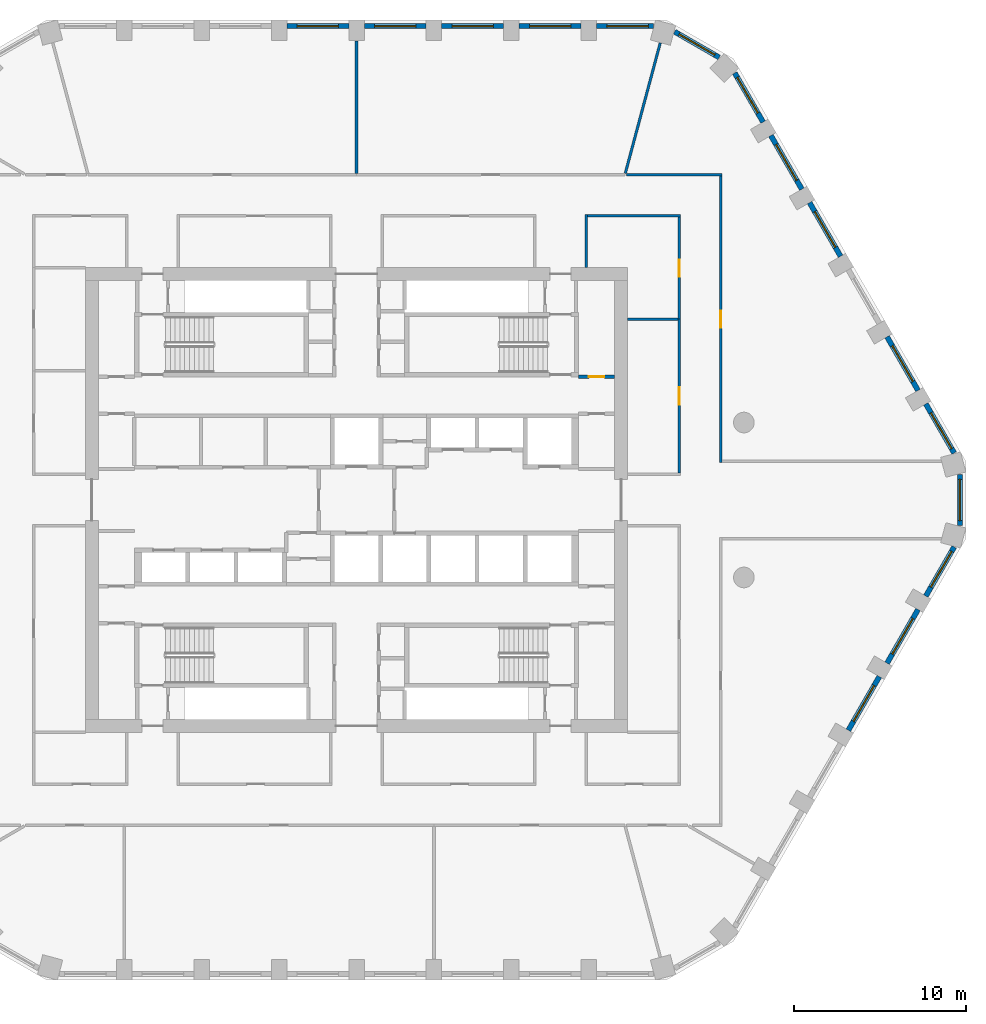
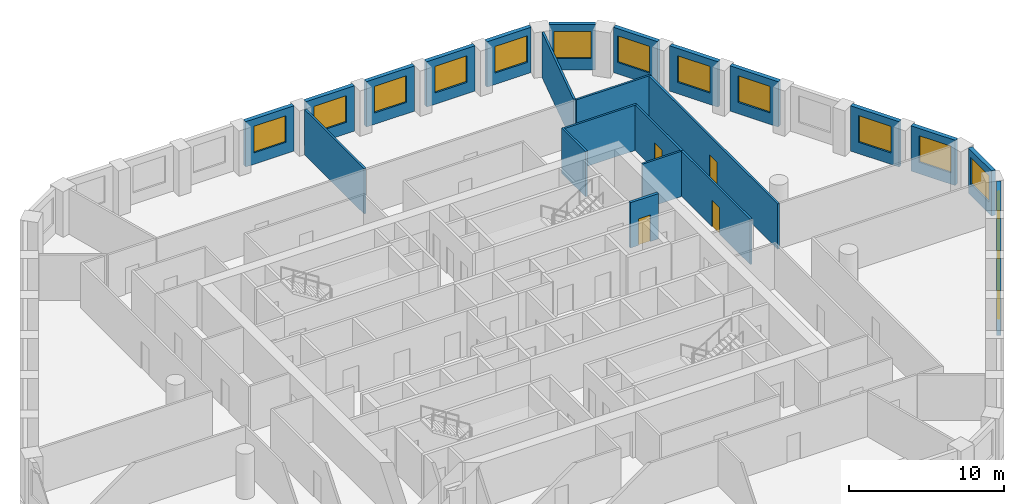
# One storey, part 8 of 10: 25 walls, 15 windows, 4 doors, 19 openings.
"""IFC4 building model written with IfcOpenShell, lengths in metres."""

import ifcopenshell
import ifcopenshell.guid

model = None  # the IFC model being written
_history = None  # IfcOwnerHistory: only IFC2X3 demands one
_inside = {}  # id of a spatial element -> (the spatial element, [elements in it])
_under = {}  # id of a project, library or spatial element -> (it, [spatial elements below it])
_declared = {}  # id of a project -> (the project, [libraries it declares])
_typed = {}  # id of a type object -> (the type object, [elements of that type])
_made_of = {}  # id of a material, layer set ... -> (it, [elements and type objects made of it])


def new_model(schema):
    """Start an empty IFC model of exactly this schema.

    Asked for "IFC4X3", IfcOpenShell would pick the latest addendum, in which some entities
    have other attributes; the version numbers below select the first issue.
    IFC2X3 requires an IfcOwnerHistory on every rooted entity: one is made here for all.
    """
    global model, _history
    if schema == "IFC4X3":
        model = ifcopenshell.file(schema_version=(4, 3, 0, 0))
    else:
        model = ifcopenshell.file(schema=schema)
    _inside.clear()
    _under.clear()
    _declared.clear()
    _typed.clear()
    _made_of.clear()
    _history = None
    if model.schema == "IFC2X3":
        org = make("IfcOrganization", Name="unknown")
        user = make(
            "IfcPersonAndOrganization",
            ThePerson=make("IfcPerson", FamilyName="unknown"),
            TheOrganization=org,
        )
        app = make(
            "IfcApplication",
            ApplicationDeveloper=org,
            Version="unknown",
            ApplicationFullName="unknown",
            ApplicationIdentifier="unknown",
        )
        _history = make(
            "IfcOwnerHistory",
            OwningUser=user,
            OwningApplication=app,
            ChangeAction="ADDED",
            CreationDate=0,
        )
    return model


def make(cls, **values):
    """One entity of the class cls with the attributes given. An attribute that is None is left unset."""
    return model.create_entity(
        cls, **{name: value for name, value in values.items() if value is not None}
    )


def rooted(cls, **values):
    """An entity with a GlobalId (a new one), such as an element, a storey or a relation."""
    return make(cls, GlobalId=ifcopenshell.guid.new(), OwnerHistory=_history, **values)


def si_unit(unit_type, name, prefix=None):
    """IfcSIUnit, for example si_unit("LENGTHUNIT", "METRE", prefix="MILLI")."""
    return make("IfcSIUnit", UnitType=unit_type, Prefix=prefix, Name=name)


def assignment(units):
    """IfcUnitAssignment: the units of a project."""
    return None if units is None else make("IfcUnitAssignment", Units=units)


def point(xyz):
    """IfcCartesianPoint."""
    return None if xyz is None else make("IfcCartesianPoint", Coordinates=xyz)


def direction(xyz):
    """IfcDirection."""
    return None if xyz is None else make("IfcDirection", DirectionRatios=xyz)


def frame(location, z_axis=None, x_axis=None):
    """IfcAxis2Placement3D, a coordinate frame: its origin and axes. An axis left out is left unset."""
    return make(
        "IfcAxis2Placement3D",
        Location=point(location),
        Axis=direction(z_axis),
        RefDirection=direction(x_axis),
    )


def frame_2d(location, x_axis=None):
    """IfcAxis2Placement2D, a coordinate frame in the plane: its origin and x axis."""
    return make(
        "IfcAxis2Placement2D", Location=point(location), RefDirection=direction(x_axis)
    )


def origin():
    """The frame at (0, 0, 0) with its axes left unset."""
    return frame((0.0, 0.0, 0.0))


def place(relative_to, where):
    """IfcLocalPlacement: puts the frame where relative to a parent placement (None: the world)."""
    return make(
        "IfcLocalPlacement", PlacementRelTo=relative_to, RelativePlacement=where
    )


def context(
    kind, dimensions, precision=None, world=None, true_north=None, identifier=None
):
    """IfcGeometricRepresentationContext, for example the 3D "Model" context."""
    return make(
        "IfcGeometricRepresentationContext",
        ContextIdentifier=identifier,
        ContextType=kind,
        CoordinateSpaceDimension=dimensions,
        Precision=precision,
        WorldCoordinateSystem=world,
        TrueNorth=true_north,
    )


def subcontext(parent, identifier, kind, view, scale=None):
    """IfcGeometricRepresentationSubContext, for example "Body" below "Model"."""
    return make(
        "IfcGeometricRepresentationSubContext",
        ContextIdentifier=identifier,
        ContextType=kind,
        ParentContext=parent,
        TargetScale=scale,
        TargetView=view,
    )


def project(units=None, contexts=None):
    """IfcProject with its units and contexts."""
    return rooted(
        "IfcProject",
        Name="project",
        RepresentationContexts=contexts,
        UnitsInContext=assignment(units),
    )


def spatial(cls, under=None, at=None, **own):
    """A site, building, storey or space (cls), placed at a placement, below another one or the project."""
    s = rooted(cls, ObjectPlacement=at, **own)
    if under is not None:
        _under.setdefault(under.id(), (under, []))[1].append(s)
    return s


def profile(cls, at=None, kind="AREA", **sizes):
    """A parametric profile (cls). Its sizes go by their IFC names, for example OverallWidth=200.0."""
    return make(cls, ProfileType=kind, Position=at, **sizes)


def rectangle(**sizes):
    """IfcRectangleProfileDef."""
    return profile("IfcRectangleProfileDef", **sizes)


def extrude(swept, where, along, depth):
    """IfcExtrudedAreaSolid: the profile swept, set in the frame where, extruded along a direction by depth."""
    return make(
        "IfcExtrudedAreaSolid",
        SweptArea=swept,
        Position=where,
        ExtrudedDirection=direction(along),
        Depth=depth,
    )


def shape(context_of_items, identifier, shape_type, items):
    """IfcShapeRepresentation: the items that make up one representation, for example the "Body"."""
    return make(
        "IfcShapeRepresentation",
        ContextOfItems=context_of_items,
        RepresentationIdentifier=identifier,
        RepresentationType=shape_type,
        Items=items,
    )


def material(Name=None, Category=None):
    """IfcMaterial."""
    return make("IfcMaterial", Name=Name, Category=Category)


def layer(
    of_material, thickness, ventilated=None, Name=None, Category=None, Priority=None
):
    """IfcMaterialLayer: one layer of a wall or slab, of a material (None: an air gap)."""
    return make(
        "IfcMaterialLayer",
        Material=of_material,
        LayerThickness=thickness,
        IsVentilated=ventilated,
        Name=Name,
        Category=Category,
        Priority=Priority,
    )


def layer_set(layers, Name=None):
    """IfcMaterialLayerSet."""
    return make("IfcMaterialLayerSet", MaterialLayers=layers, LayerSetName=Name)


def made_of(thing, what):
    """Note that an element or type object is made of a material, layer set ...; save() writes the relation."""
    if what is not None:
        _made_of.setdefault(what.id(), (what, []))[1].append(thing)
    return thing


def type_object(cls, material=None, **own):
    """A type object (cls), such as IfcWallType, which elements share."""
    return made_of(rooted(cls, **own), material)


def element(
    cls,
    number,
    at=None,
    inside=None,
    cuts=None,
    type_object=None,
    material=None,
    context=None,
    identifier="Body",
    shape_type=None,
    held_by="IfcProductDefinitionShape",
    body=None,
    shapes=None,
    **own,
):
    """One element of the class cls, such as IfcWall. Its Tag is "e" and its number.

    at: its placement. inside: the storey or other place that contains it. cuts: it is an
    opening in that element (IfcRelVoidsElement). A single representation is given by context,
    identifier, shape_type and body (its items); several are given by shapes. held_by: the class
    of the entity that holds the representations. save() writes the other relations.
    """
    e = rooted(cls, Tag="e%d" % number, ObjectPlacement=at, **own)
    if body is not None:
        shapes = [shape(context, identifier, shape_type, body)]
    if shapes is not None:
        e.Representation = make(held_by, Representations=shapes)
    if inside is not None:
        _inside.setdefault(inside.id(), (inside, []))[1].append(e)
    if cuts is not None:
        rooted(
            "IfcRelVoidsElement", RelatingBuildingElement=cuts, RelatedOpeningElement=e
        )
    if type_object is not None:
        _typed.setdefault(type_object.id(), (type_object, []))[1].append(e)
    return made_of(e, material)


def fill(opening, filler):
    """IfcRelFillsElement: the door or window that sits in an opening."""
    return rooted(
        "IfcRelFillsElement",
        RelatingOpeningElement=opening,
        RelatedBuildingElement=filler,
    )


def aggregate(whole, parts):
    """IfcRelAggregates: a whole, such as a stair, and the parts it consists of."""
    return rooted("IfcRelAggregates", RelatingObject=whole, RelatedObjects=parts)


def save(model, path):
    """Write the relations noted so far, then the file.

    IfcRelAggregates (storeys below a building ...), IfcRelContainedInSpatialStructure (elements
    in a storey), IfcRelDefinesByType, IfcRelAssociatesMaterial and IfcRelDeclares: one each for
    every whole, place, type object, material and project.
    """
    for whole, parts in _under.values():
        aggregate(whole, parts)
    for where, things in _inside.values():
        rooted(
            "IfcRelContainedInSpatialStructure",
            RelatedElements=things,
            RelatingStructure=where,
        )
    for kind, things in _typed.values():
        rooted("IfcRelDefinesByType", RelatedObjects=things, RelatingType=kind)
    for what, things in _made_of.values():
        rooted("IfcRelAssociatesMaterial", RelatedObjects=things, RelatingMaterial=what)
    for by, libraries in _declared.values():
        rooted("IfcRelDeclares", RelatingContext=by, RelatedDefinitions=libraries)
    model.write(path)


model = new_model("IFC4")

# Units and contexts
model_context = context("Model", 3, precision=1e-05, world=origin(), true_north=direction((0.0, 1.0)))
body_context = subcontext(model_context, "Body", "Model", "MODEL_VIEW")
ifc_project = project(units=[si_unit("LENGTHUNIT", "METRE"), si_unit("AREAUNIT", "SQUARE_METRE"), si_unit("VOLUMEUNIT", "CUBIC_METRE"), si_unit("PLANEANGLEUNIT", "RADIAN"), si_unit("MASSUNIT", "GRAM", prefix="KILO")], contexts=[model_context])

# Site, building, storey
site_placement = place(None, origin())
site = spatial("IfcSite", under=ifc_project, at=site_placement, CompositionType="ELEMENT")
building_placement = place(site_placement, origin())
building = spatial("IfcBuilding", under=site, at=building_placement, Name="Dhurran Vertical Campus", CompositionType="ELEMENT")
storey_placement = place(building_placement, frame((0.0, 0.0, 144.300048828125)))
storey = spatial("IfcBuildingStorey", under=building, at=storey_placement, Name="L35", CompositionType="ELEMENT", Elevation=144.300048828125)

# Wall, opening, window
ifc_material_1 = material(Name="Precast concrete C50/60", Category="concrete")
ifc_layer_1 = layer(ifc_material_1, 0.300048828125)
ifc_layer_set_1 = layer_set([ifc_layer_1], Name="Precast concrete C50/60")
wall_type_1 = type_object("IfcWallType", Name="Precast spandrel wall 300", PredefinedType="SOLIDWALL", material=ifc_layer_set_1)
wall_1_placement = place(storey_placement, frame((28.5693359375, -13.376220703125, 0.0), z_axis=(0.0, 0.0, 1.0), x_axis=(0.500027802648, 0.866009351323, 0.0)))
wall_1 = element("IfcWall", 1, at=wall_1_placement, inside=storey, type_object=wall_type_1, Name="EW1 L35.12", PredefinedType="SOLIDWALL", context=body_context, shape_type="SweptSolid", body=[
    extrude(rectangle(XDim=3.598876953125, YDim=0.300048828125, at=frame_2d((1.79931640625, 0.0))), origin(), (0.0, 0.0, 1.0), 3.574951171875),
])
opening_1_placement = place(wall_1_placement, frame((0.599609375, 0.0, 0.89990234375)))
opening_1 = element("IfcOpeningElement", 2, at=opening_1_placement, cuts=wall_1, Name="Opening WT1", PredefinedType="OPENING", context=body_context, shape_type="SweptSolid", body=[
    extrude(rectangle(XDim=2.39990234375, YDim=2.10009765625, at=frame_2d((1.199951171875, 1.050048828125))), frame((0.0, 0.159912109375, 0.0), z_axis=(0.0, -1.0, 0.0), x_axis=(1.0, 0.0, 0.0)), (0.0, 0.0, 1.0), 0.320068359375),
])
ifc_material_2 = material(Name="Aluminium frame with solar-control glass", Category="aluminium")
window_type = type_object("IfcWindowType", Name="Punched window 2400 x 2100", PartitioningType="SINGLE_PANEL", PredefinedType="WINDOW", material=ifc_material_2)
window_1_placement = place(opening_1_placement, origin())
window_1 = element("IfcWindow", 3, at=window_1_placement, inside=storey, type_object=window_type, Name="WT1 L35.12", OverallHeight=2.10009765625, OverallWidth=2.39990234375, PartitioningType="SINGLE_PANEL", PredefinedType="WINDOW", context=body_context, shape_type="SweptSolid", body=[
    extrude(rectangle(XDim=2.39990234375, YDim=2.10009765625, at=frame_2d((1.199951171875, 1.050048828125))), frame((0.0, 0.030029296875, 0.0), z_axis=(0.0, -1.0, 0.0), x_axis=(1.0, 0.0, 0.0)), (0.0, 0.0, 1.0), 0.06005859375),
])
fill(opening_1, window_1)

wall_2_placement = place(storey_placement, frame((30.8193359375, -9.47900390625, 0.0), z_axis=(0.0, 0.0, 1.0), x_axis=(0.500027802648, 0.866009351323, 0.0)))
wall_2 = element("IfcWall", 4, at=wall_2_placement, inside=storey, type_object=wall_type_1, Name="EW1 L35.13", PredefinedType="SOLIDWALL", context=body_context, shape_type="SweptSolid", body=[
    extrude(rectangle(XDim=3.598876953125, YDim=0.300048828125, at=frame_2d((1.79931640625, 0.0))), origin(), (0.0, 0.0, 1.0), 3.574951171875),
])
opening_2_placement = place(wall_2_placement, frame((0.599609375, 0.0, 0.89990234375)))
opening_2 = element("IfcOpeningElement", 5, at=opening_2_placement, cuts=wall_2, Name="Opening WT1", PredefinedType="OPENING", context=body_context, shape_type="SweptSolid", body=[
    extrude(rectangle(XDim=2.39990234375, YDim=2.10009765625, at=frame_2d((1.199951171875, 1.050048828125))), frame((0.0, 0.159912109375, 0.0), z_axis=(0.0, -1.0, 0.0), x_axis=(1.0, 0.0, 0.0)), (0.0, 0.0, 1.0), 0.320068359375),
])
window_2_placement = place(opening_2_placement, origin())
window_2 = element("IfcWindow", 6, at=window_2_placement, inside=storey, type_object=window_type, Name="WT1 L35.13", OverallHeight=2.10009765625, OverallWidth=2.39990234375, PartitioningType="SINGLE_PANEL", PredefinedType="WINDOW", context=body_context, shape_type="SweptSolid", body=[
    extrude(rectangle(XDim=2.39990234375, YDim=2.10009765625, at=frame_2d((1.199951171875, 1.050048828125))), frame((0.0, 0.030029296875, 0.0), z_axis=(0.0, -1.0, 0.0), x_axis=(1.0, 0.0, 0.0)), (0.0, 0.0, 1.0), 0.06005859375),
])
fill(opening_2, window_2)

wall_3_placement = place(storey_placement, frame((33.0693359375, -5.58203125, 0.0), z_axis=(0.0, 0.0, 1.0), x_axis=(0.499981217486, 0.866036247602, 0.0)))
wall_3 = element("IfcWall", 7, at=wall_3_placement, inside=storey, type_object=wall_type_1, Name="EW1 L35.14", PredefinedType="SOLIDWALL", context=body_context, shape_type="SweptSolid", body=[
    extrude(rectangle(XDim=3.294189453125, YDim=0.300048828125, at=frame_2d((1.64697265625, 0.0))), origin(), (0.0, 0.0, 1.0), 3.574951171875),
])
opening_3_placement = place(wall_3_placement, frame((0.599609375, 0.0, 0.89990234375)))
opening_3 = element("IfcOpeningElement", 8, at=opening_3_placement, cuts=wall_3, Name="Opening WT1", PredefinedType="OPENING", context=body_context, shape_type="SweptSolid", body=[
    extrude(rectangle(XDim=2.39990234375, YDim=2.10009765625, at=frame_2d((1.199951171875, 1.050048828125))), frame((0.0, 0.159912109375, 0.0), z_axis=(0.0, -1.0, 0.0), x_axis=(1.0, 0.0, 0.0)), (0.0, 0.0, 1.0), 0.320068359375),
])
window_3_placement = place(opening_3_placement, origin())
window_3 = element("IfcWindow", 9, at=window_3_placement, inside=storey, type_object=window_type, Name="WT1 L35.14", OverallHeight=2.10009765625, OverallWidth=2.39990234375, PartitioningType="SINGLE_PANEL", PredefinedType="WINDOW", context=body_context, shape_type="SweptSolid", body=[
    extrude(rectangle(XDim=2.39990234375, YDim=2.10009765625, at=frame_2d((1.199951171875, 1.050048828125))), frame((0.0, 0.030029296875, 0.0), z_axis=(0.0, -1.0, 0.0), x_axis=(1.0, 0.0, 0.0)), (0.0, 0.0, 1.0), 0.06005859375),
])
fill(opening_3, window_3)

wall_4_placement = place(storey_placement, frame((35.047119140625, -1.49462890625, 0.0), z_axis=(0.0, 0.0, 1.0), x_axis=(0.0, 1.0, 0.0)))
wall_4 = element("IfcWall", 10, at=wall_4_placement, inside=storey, type_object=wall_type_1, Name="EW1 L35.15", PredefinedType="SOLIDWALL", context=body_context, shape_type="SweptSolid", body=[
    extrude(rectangle(XDim=2.9892578125, YDim=0.300048828125, at=frame_2d((1.49462890625, 0.0))), origin(), (0.0, 0.0, 1.0), 3.574951171875),
])
opening_4_placement = place(wall_4_placement, frame((0.294677734375, 0.0, 0.89990234375)))
opening_4 = element("IfcOpeningElement", 11, at=opening_4_placement, cuts=wall_4, Name="Opening WT1", PredefinedType="OPENING", context=body_context, shape_type="SweptSolid", body=[
    extrude(rectangle(XDim=2.39990234375, YDim=2.10009765625, at=frame_2d((1.199951171875, 1.050048828125))), frame((0.0, 0.159912109375, 0.0), z_axis=(0.0, -1.0, 0.0), x_axis=(1.0, 0.0, 0.0)), (0.0, 0.0, 1.0), 0.320068359375),
])
window_4_placement = place(opening_4_placement, origin())
window_4 = element("IfcWindow", 12, at=window_4_placement, inside=storey, type_object=window_type, Name="WT1 L35.15", OverallHeight=2.10009765625, OverallWidth=2.39990234375, PartitioningType="SINGLE_PANEL", PredefinedType="WINDOW", context=body_context, shape_type="SweptSolid", body=[
    extrude(rectangle(XDim=2.39990234375, YDim=2.10009765625, at=frame_2d((1.199951171875, 1.050048828125))), frame((0.0, 0.030029296875, 0.0), z_axis=(0.0, -1.0, 0.0), x_axis=(1.0, 0.0, 0.0)), (0.0, 0.0, 1.0), 0.06005859375),
])
fill(opening_4, window_4)

wall_5_placement = place(storey_placement, frame((34.71630859375, 2.729248046875, 0.0), z_axis=(0.0, 0.0, 1.0), x_axis=(-0.499981217486, 0.866036247602, 0.0)))
wall_5 = element("IfcWall", 13, at=wall_5_placement, inside=storey, type_object=wall_type_1, Name="EW1 L35.16", PredefinedType="SOLIDWALL", context=body_context, shape_type="SweptSolid", body=[
    extrude(rectangle(XDim=3.294189453125, YDim=0.300048828125, at=frame_2d((1.64697265625, 0.0))), origin(), (0.0, 0.0, 1.0), 3.574951171875),
])
opening_5_placement = place(wall_5_placement, frame((0.294677734375, 0.0, 0.89990234375)))
opening_5 = element("IfcOpeningElement", 14, at=opening_5_placement, cuts=wall_5, Name="Opening WT1", PredefinedType="OPENING", context=body_context, shape_type="SweptSolid", body=[
    extrude(rectangle(XDim=2.39990234375, YDim=2.10009765625, at=frame_2d((1.199951171875, 1.050048828125))), frame((0.0, 0.159912109375, 0.0), z_axis=(0.0, -1.0, 0.0), x_axis=(1.0, 0.0, 0.0)), (0.0, 0.0, 1.0), 0.320068359375),
])
window_5_placement = place(opening_5_placement, origin())
window_5 = element("IfcWindow", 15, at=window_5_placement, inside=storey, type_object=window_type, Name="WT1 L35.16", OverallHeight=2.10009765625, OverallWidth=2.39990234375, PartitioningType="SINGLE_PANEL", PredefinedType="WINDOW", context=body_context, shape_type="SweptSolid", body=[
    extrude(rectangle(XDim=2.39990234375, YDim=2.10009765625, at=frame_2d((1.199951171875, 1.050048828125))), frame((0.0, 0.030029296875, 0.0), z_axis=(0.0, -1.0, 0.0), x_axis=(1.0, 0.0, 0.0)), (0.0, 0.0, 1.0), 0.06005859375),
])
fill(opening_5, window_5)

wall_6_placement = place(storey_placement, frame((32.618896484375, 6.3623046875, 0.0), z_axis=(0.0, 0.0, 1.0), x_axis=(-0.500027802648, 0.866009351323, 0.0)))
wall_6 = element("IfcWall", 16, at=wall_6_placement, inside=storey, type_object=wall_type_1, Name="EW1 L35.17", PredefinedType="SOLIDWALL", context=body_context, shape_type="SweptSolid", body=[
    extrude(rectangle(XDim=3.598876953125, YDim=0.300048828125, at=frame_2d((1.79931640625, 0.0))), origin(), (0.0, 0.0, 1.0), 3.574951171875),
])
opening_6_placement = place(wall_6_placement, frame((0.599609375, 0.0, 0.89990234375)))
opening_6 = element("IfcOpeningElement", 17, at=opening_6_placement, cuts=wall_6, Name="Opening WT1", PredefinedType="OPENING", context=body_context, shape_type="SweptSolid", body=[
    extrude(rectangle(XDim=2.39990234375, YDim=2.10009765625, at=frame_2d((1.199951171875, 1.050048828125))), frame((0.0, 0.159912109375, 0.0), z_axis=(0.0, -1.0, 0.0), x_axis=(1.0, 0.0, 0.0)), (0.0, 0.0, 1.0), 0.320068359375),
])
window_6_placement = place(opening_6_placement, origin())
window_6 = element("IfcWindow", 18, at=window_6_placement, inside=storey, type_object=window_type, Name="WT1 L35.17", OverallHeight=2.10009765625, OverallWidth=2.39990234375, PartitioningType="SINGLE_PANEL", PredefinedType="WINDOW", context=body_context, shape_type="SweptSolid", body=[
    extrude(rectangle(XDim=2.39990234375, YDim=2.10009765625, at=frame_2d((1.199951171875, 1.050048828125))), frame((0.0, 0.030029296875, 0.0), z_axis=(0.0, -1.0, 0.0), x_axis=(1.0, 0.0, 0.0)), (0.0, 0.0, 1.0), 0.06005859375),
])
fill(opening_6, window_6)

wall_7_placement = place(storey_placement, frame((28.118896484375, 14.156494140625, 0.0), z_axis=(0.0, 0.0, 1.0), x_axis=(-0.500027802648, 0.866009351323, 0.0)))
wall_7 = element("IfcWall", 19, at=wall_7_placement, inside=storey, type_object=wall_type_1, Name="EW1 L35.19", PredefinedType="SOLIDWALL", context=body_context, shape_type="SweptSolid", body=[
    extrude(rectangle(XDim=3.598876953125, YDim=0.300048828125, at=frame_2d((1.79931640625, 0.0))), origin(), (0.0, 0.0, 1.0), 3.574951171875),
])
opening_7_placement = place(wall_7_placement, frame((0.599609375, 0.0, 0.89990234375)))
opening_7 = element("IfcOpeningElement", 20, at=opening_7_placement, cuts=wall_7, Name="Opening WT1", PredefinedType="OPENING", context=body_context, shape_type="SweptSolid", body=[
    extrude(rectangle(XDim=2.39990234375, YDim=2.10009765625, at=frame_2d((1.199951171875, 1.050048828125))), frame((0.0, 0.159912109375, 0.0), z_axis=(0.0, -1.0, 0.0), x_axis=(1.0, 0.0, 0.0)), (0.0, 0.0, 1.0), 0.320068359375),
])
window_7_placement = place(opening_7_placement, origin())
window_7 = element("IfcWindow", 21, at=window_7_placement, inside=storey, type_object=window_type, Name="WT1 L35.19", OverallHeight=2.10009765625, OverallWidth=2.39990234375, PartitioningType="SINGLE_PANEL", PredefinedType="WINDOW", context=body_context, shape_type="SweptSolid", body=[
    extrude(rectangle(XDim=2.39990234375, YDim=2.10009765625, at=frame_2d((1.199951171875, 1.050048828125))), frame((0.0, 0.030029296875, 0.0), z_axis=(0.0, -1.0, 0.0), x_axis=(1.0, 0.0, 0.0)), (0.0, 0.0, 1.0), 0.06005859375),
])
fill(opening_7, window_7)

wall_8_placement = place(storey_placement, frame((25.868896484375, 18.0537109375, 0.0), z_axis=(0.0, 0.0, 1.0), x_axis=(-0.500027802648, 0.866009351323, 0.0)))
wall_8 = element("IfcWall", 22, at=wall_8_placement, inside=storey, type_object=wall_type_1, Name="EW1 L35.20", PredefinedType="SOLIDWALL", context=body_context, shape_type="SweptSolid", body=[
    extrude(rectangle(XDim=3.598876953125, YDim=0.300048828125, at=frame_2d((1.79931640625, 0.0))), origin(), (0.0, 0.0, 1.0), 3.574951171875),
])
opening_8_placement = place(wall_8_placement, frame((0.599609375, 0.0, 0.89990234375)))
opening_8 = element("IfcOpeningElement", 23, at=opening_8_placement, cuts=wall_8, Name="Opening WT1", PredefinedType="OPENING", context=body_context, shape_type="SweptSolid", body=[
    extrude(rectangle(XDim=2.39990234375, YDim=2.10009765625, at=frame_2d((1.199951171875, 1.050048828125))), frame((0.0, 0.159912109375, 0.0), z_axis=(0.0, -1.0, 0.0), x_axis=(1.0, 0.0, 0.0)), (0.0, 0.0, 1.0), 0.320068359375),
])
window_8_placement = place(opening_8_placement, origin())
window_8 = element("IfcWindow", 24, at=window_8_placement, inside=storey, type_object=window_type, Name="WT1 L35.20", OverallHeight=2.10009765625, OverallWidth=2.39990234375, PartitioningType="SINGLE_PANEL", PredefinedType="WINDOW", context=body_context, shape_type="SweptSolid", body=[
    extrude(rectangle(XDim=2.39990234375, YDim=2.10009765625, at=frame_2d((1.199951171875, 1.050048828125))), frame((0.0, 0.030029296875, 0.0), z_axis=(0.0, -1.0, 0.0), x_axis=(1.0, 0.0, 0.0)), (0.0, 0.0, 1.0), 0.06005859375),
])
fill(opening_8, window_8)

wall_9_placement = place(storey_placement, frame((23.618896484375, 21.95068359375, 0.0), z_axis=(0.0, 0.0, 1.0), x_axis=(-0.500036802197, 0.866004154983, 0.0)))
wall_9 = element("IfcWall", 25, at=wall_9_placement, inside=storey, type_object=wall_type_1, Name="EW1 L35.21", PredefinedType="SOLIDWALL", context=body_context, shape_type="SweptSolid", body=[
    extrude(rectangle(XDim=3.294189453125, YDim=0.300048828125, at=frame_2d((1.64697265625, 0.0))), origin(), (0.0, 0.0, 1.0), 3.574951171875),
])
opening_9_placement = place(wall_9_placement, frame((0.599609375, 0.0, 0.89990234375)))
opening_9 = element("IfcOpeningElement", 26, at=opening_9_placement, cuts=wall_9, Name="Opening WT1", PredefinedType="OPENING", context=body_context, shape_type="SweptSolid", body=[
    extrude(rectangle(XDim=2.39990234375, YDim=2.10009765625, at=frame_2d((1.199951171875, 1.050048828125))), frame((0.0, 0.159912109375, 0.0), z_axis=(0.0, -1.0, 0.0), x_axis=(1.0, 0.0, 0.0)), (0.0, 0.0, 1.0), 0.320068359375),
])
window_9_placement = place(opening_9_placement, origin())
window_9 = element("IfcWindow", 27, at=window_9_placement, inside=storey, type_object=window_type, Name="WT1 L35.21", OverallHeight=2.10009765625, OverallWidth=2.39990234375, PartitioningType="SINGLE_PANEL", PredefinedType="WINDOW", context=body_context, shape_type="SweptSolid", body=[
    extrude(rectangle(XDim=2.39990234375, YDim=2.10009765625, at=frame_2d((1.199951171875, 1.050048828125))), frame((0.0, 0.030029296875, 0.0), z_axis=(0.0, -1.0, 0.0), x_axis=(1.0, 0.0, 0.0)), (0.0, 0.0, 1.0), 0.06005859375),
])
fill(opening_9, window_9)

wall_10_placement = place(storey_placement, frame((21.06787109375, 25.707275390625, 0.0), z_axis=(0.0, 0.0, 1.0), x_axis=(-0.866012844897, 0.500021752, 0.0)))
wall_10 = element("IfcWall", 28, at=wall_10_placement, inside=storey, type_object=wall_type_1, Name="EW1 L35.22", PredefinedType="SOLIDWALL", context=body_context, shape_type="SweptSolid", body=[
    extrude(rectangle(XDim=2.989013671875, YDim=0.300048828125, at=frame_2d((1.49462890625, 0.0))), origin(), (0.0, 0.0, 1.0), 3.574951171875),
])
opening_10_placement = place(wall_10_placement, frame((0.294677734375, 0.0, 0.89990234375)))
opening_10 = element("IfcOpeningElement", 29, at=opening_10_placement, cuts=wall_10, Name="Opening WT1", PredefinedType="OPENING", context=body_context, shape_type="SweptSolid", body=[
    extrude(rectangle(XDim=2.39990234375, YDim=2.10009765625, at=frame_2d((1.199951171875, 1.050048828125))), frame((0.0, 0.159912109375, 0.0), z_axis=(0.0, -1.0, 0.0), x_axis=(1.0, 0.0, 0.0)), (0.0, 0.0, 1.0), 0.320068359375),
])
window_10_placement = place(opening_10_placement, origin())
window_10 = element("IfcWindow", 30, at=window_10_placement, inside=storey, type_object=window_type, Name="WT1 L35.22", OverallHeight=2.10009765625, OverallWidth=2.39990234375, PartitioningType="SINGLE_PANEL", PredefinedType="WINDOW", context=body_context, shape_type="SweptSolid", body=[
    extrude(rectangle(XDim=2.39990234375, YDim=2.10009765625, at=frame_2d((1.199951171875, 1.050048828125))), frame((0.0, 0.030029296875, 0.0), z_axis=(0.0, -1.0, 0.0), x_axis=(1.0, 0.0, 0.0)), (0.0, 0.0, 1.0), 0.06005859375),
])
fill(opening_10, window_10)

wall_11_placement = place(storey_placement, frame((17.24462890625, 27.53271484375, 0.0), z_axis=(0.0, 0.0, 1.0), x_axis=(-1.0, 0.0, 0.0)))
wall_11 = element("IfcWall", 31, at=wall_11_placement, inside=storey, type_object=wall_type_1, Name="EW1 L35.23", PredefinedType="SOLIDWALL", context=body_context, shape_type="SweptSolid", body=[
    extrude(rectangle(XDim=3.294189453125, YDim=0.300048828125, at=frame_2d((1.64697265625, 0.0))), origin(), (0.0, 0.0, 1.0), 3.574951171875),
])
opening_11_placement = place(wall_11_placement, frame((0.294677734375, 0.0, 0.89990234375)))
opening_11 = element("IfcOpeningElement", 32, at=opening_11_placement, cuts=wall_11, Name="Opening WT1", PredefinedType="OPENING", context=body_context, shape_type="SweptSolid", body=[
    extrude(rectangle(XDim=2.39990234375, YDim=2.10009765625, at=frame_2d((1.199951171875, 1.050048828125))), frame((0.0, 0.159912109375, 0.0), z_axis=(0.0, -1.0, 0.0), x_axis=(1.0, 0.0, 0.0)), (0.0, 0.0, 1.0), 0.320068359375),
])
window_11_placement = place(opening_11_placement, origin())
window_11 = element("IfcWindow", 33, at=window_11_placement, inside=storey, type_object=window_type, Name="WT1 L35.23", OverallHeight=2.10009765625, OverallWidth=2.39990234375, PartitioningType="SINGLE_PANEL", PredefinedType="WINDOW", context=body_context, shape_type="SweptSolid", body=[
    extrude(rectangle(XDim=2.39990234375, YDim=2.10009765625, at=frame_2d((1.199951171875, 1.050048828125))), frame((0.0, 0.030029296875, 0.0), z_axis=(0.0, -1.0, 0.0), x_axis=(1.0, 0.0, 0.0)), (0.0, 0.0, 1.0), 0.06005859375),
])
fill(opening_11, window_11)

wall_12_placement = place(storey_placement, frame((13.049560546875, 27.53271484375, 0.0), z_axis=(0.0, 0.0, 1.0), x_axis=(-1.0, 0.0, 0.0)))
wall_12 = element("IfcWall", 34, at=wall_12_placement, inside=storey, type_object=wall_type_1, Name="EW1 L35.24", PredefinedType="SOLIDWALL", context=body_context, shape_type="SweptSolid", body=[
    extrude(rectangle(XDim=3.59912109375, YDim=0.300048828125, at=frame_2d((1.799560546875, 0.0))), origin(), (0.0, 0.0, 1.0), 3.574951171875),
])
opening_12_placement = place(wall_12_placement, frame((0.599609375, 0.0, 0.89990234375)))
opening_12 = element("IfcOpeningElement", 35, at=opening_12_placement, cuts=wall_12, Name="Opening WT1", PredefinedType="OPENING", context=body_context, shape_type="SweptSolid", body=[
    extrude(rectangle(XDim=2.39990234375, YDim=2.10009765625, at=frame_2d((1.199951171875, 1.050048828125))), frame((0.0, 0.159912109375, 0.0), z_axis=(0.0, -1.0, 0.0), x_axis=(1.0, 0.0, 0.0)), (0.0, 0.0, 1.0), 0.320068359375),
])
window_12_placement = place(opening_12_placement, origin())
window_12 = element("IfcWindow", 36, at=window_12_placement, inside=storey, type_object=window_type, Name="WT1 L35.24", OverallHeight=2.10009765625, OverallWidth=2.39990234375, PartitioningType="SINGLE_PANEL", PredefinedType="WINDOW", context=body_context, shape_type="SweptSolid", body=[
    extrude(rectangle(XDim=2.39990234375, YDim=2.10009765625, at=frame_2d((1.199951171875, 1.050048828125))), frame((0.0, 0.030029296875, 0.0), z_axis=(0.0, -1.0, 0.0), x_axis=(1.0, 0.0, 0.0)), (0.0, 0.0, 1.0), 0.06005859375),
])
fill(opening_12, window_12)

wall_13_placement = place(storey_placement, frame((8.549560546875, 27.53271484375, 0.0), z_axis=(0.0, 0.0, 1.0), x_axis=(-1.0, 0.0, 0.0)))
wall_13 = element("IfcWall", 37, at=wall_13_placement, inside=storey, type_object=wall_type_1, Name="EW1 L35.25", PredefinedType="SOLIDWALL", context=body_context, shape_type="SweptSolid", body=[
    extrude(rectangle(XDim=3.59912109375, YDim=0.300048828125, at=frame_2d((1.799560546875, 0.0))), origin(), (0.0, 0.0, 1.0), 3.574951171875),
])
opening_13_placement = place(wall_13_placement, frame((0.599609375, 0.0, 0.89990234375)))
opening_13 = element("IfcOpeningElement", 38, at=opening_13_placement, cuts=wall_13, Name="Opening WT1", PredefinedType="OPENING", context=body_context, shape_type="SweptSolid", body=[
    extrude(rectangle(XDim=2.39990234375, YDim=2.10009765625, at=frame_2d((1.199951171875, 1.050048828125))), frame((0.0, 0.159912109375, 0.0), z_axis=(0.0, -1.0, 0.0), x_axis=(1.0, 0.0, 0.0)), (0.0, 0.0, 1.0), 0.320068359375),
])
window_13_placement = place(opening_13_placement, origin())
window_13 = element("IfcWindow", 39, at=window_13_placement, inside=storey, type_object=window_type, Name="WT1 L35.25", OverallHeight=2.10009765625, OverallWidth=2.39990234375, PartitioningType="SINGLE_PANEL", PredefinedType="WINDOW", context=body_context, shape_type="SweptSolid", body=[
    extrude(rectangle(XDim=2.39990234375, YDim=2.10009765625, at=frame_2d((1.199951171875, 1.050048828125))), frame((0.0, 0.030029296875, 0.0), z_axis=(0.0, -1.0, 0.0), x_axis=(1.0, 0.0, 0.0)), (0.0, 0.0, 1.0), 0.06005859375),
])
fill(opening_13, window_13)

wall_14_placement = place(storey_placement, frame((4.049560546875, 27.53271484375, 0.0), z_axis=(0.0, 0.0, 1.0), x_axis=(-1.0, 0.0, 0.0)))
wall_14 = element("IfcWall", 40, at=wall_14_placement, inside=storey, type_object=wall_type_1, Name="EW1 L35.26", PredefinedType="SOLIDWALL", context=body_context, shape_type="SweptSolid", body=[
    extrude(rectangle(XDim=3.59912109375, YDim=0.300048828125, at=frame_2d((1.799560546875, 0.0))), origin(), (0.0, 0.0, 1.0), 3.574951171875),
])
opening_14_placement = place(wall_14_placement, frame((0.599609375, 0.0, 0.89990234375)))
opening_14 = element("IfcOpeningElement", 41, at=opening_14_placement, cuts=wall_14, Name="Opening WT1", PredefinedType="OPENING", context=body_context, shape_type="SweptSolid", body=[
    extrude(rectangle(XDim=2.39990234375, YDim=2.10009765625, at=frame_2d((1.199951171875, 1.050048828125))), frame((0.0, 0.159912109375, 0.0), z_axis=(0.0, -1.0, 0.0), x_axis=(1.0, 0.0, 0.0)), (0.0, 0.0, 1.0), 0.320068359375),
])
window_14_placement = place(opening_14_placement, origin())
window_14 = element("IfcWindow", 42, at=window_14_placement, inside=storey, type_object=window_type, Name="WT1 L35.26", OverallHeight=2.10009765625, OverallWidth=2.39990234375, PartitioningType="SINGLE_PANEL", PredefinedType="WINDOW", context=body_context, shape_type="SweptSolid", body=[
    extrude(rectangle(XDim=2.39990234375, YDim=2.10009765625, at=frame_2d((1.199951171875, 1.050048828125))), frame((0.0, 0.030029296875, 0.0), z_axis=(0.0, -1.0, 0.0), x_axis=(1.0, 0.0, 0.0)), (0.0, 0.0, 1.0), 0.06005859375),
])
fill(opening_14, window_14)

wall_15_placement = place(storey_placement, frame((-0.450439453125, 27.53271484375, 0.0), z_axis=(0.0, 0.0, 1.0), x_axis=(-1.0, 0.0, 0.0)))
wall_15 = element("IfcWall", 43, at=wall_15_placement, inside=storey, type_object=wall_type_1, Name="EW1 L35.27", PredefinedType="SOLIDWALL", context=body_context, shape_type="SweptSolid", body=[
    extrude(rectangle(XDim=3.59912109375, YDim=0.300048828125, at=frame_2d((1.799560546875, 0.0))), origin(), (0.0, 0.0, 1.0), 3.574951171875),
])
opening_15_placement = place(wall_15_placement, frame((0.599609375, 0.0, 0.89990234375)))
opening_15 = element("IfcOpeningElement", 44, at=opening_15_placement, cuts=wall_15, Name="Opening WT1", PredefinedType="OPENING", context=body_context, shape_type="SweptSolid", body=[
    extrude(rectangle(XDim=2.39990234375, YDim=2.10009765625, at=frame_2d((1.199951171875, 1.050048828125))), frame((0.0, 0.159912109375, 0.0), z_axis=(0.0, -1.0, 0.0), x_axis=(1.0, 0.0, 0.0)), (0.0, 0.0, 1.0), 0.320068359375),
])
window_15_placement = place(opening_15_placement, origin())
window_15 = element("IfcWindow", 45, at=window_15_placement, inside=storey, type_object=window_type, Name="WT1 L35.27", OverallHeight=2.10009765625, OverallWidth=2.39990234375, PartitioningType="SINGLE_PANEL", PredefinedType="WINDOW", context=body_context, shape_type="SweptSolid", body=[
    extrude(rectangle(XDim=2.39990234375, YDim=2.10009765625, at=frame_2d((1.199951171875, 1.050048828125))), frame((0.0, 0.030029296875, 0.0), z_axis=(0.0, -1.0, 0.0), x_axis=(1.0, 0.0, 0.0)), (0.0, 0.0, 1.0), 0.06005859375),
])
fill(opening_15, window_15)

# Wall, opening, door
ifc_material_3 = material(Name="Fire-rated masonry blockwork", Category="masonry")
ifc_layer_2 = layer(ifc_material_3, 0.199951171875)
ifc_layer_set_2 = layer_set([ifc_layer_2], Name="Fire-rated masonry blockwork")
wall_type_2 = type_object("IfcWallType", Name="co-FIRE-PARTITION-200", PredefinedType="PARTITIONING", material=ifc_layer_set_2)
wall_16_placement = place(storey_placement, frame((12.89990234375, 7.14990234375, 0.0), z_axis=(0.0, 0.0, 1.0), x_axis=(1.0, 0.0, 0.0)))
wall_16 = element("IfcWall", 46, at=wall_16_placement, inside=storey, type_object=wall_type_2, Name="Core partition en-NE-w L35", PredefinedType="PARTITIONING", context=body_context, shape_type="SweptSolid", body=[
    extrude(rectangle(XDim=2.10009765625, YDim=0.199951171875, at=frame_2d((1.050048828125, 0.0))), origin(), (0.0, 0.0, 1.0), 3.574951171875),
])
opening_16_placement = place(wall_16_placement, frame((0.60009765625, 0.0, 0.0)))
opening_16 = element("IfcOpeningElement", 47, at=opening_16_placement, cuts=wall_16, Name="Opening T10-C17", PredefinedType="OPENING", context=body_context, shape_type="SweptSolid", body=[
    extrude(rectangle(XDim=0.89990234375, YDim=2.10009765625, at=frame_2d((0.449951171875, 1.050048828125))), frame((0.0, 0.10986328125, 0.0), z_axis=(0.0, -1.0, 0.0), x_axis=(1.0, 0.0, 0.0)), (0.0, 0.0, 1.0), 0.219970703125),
])
ifc_material_4 = material(Name="Fire-rated timber door set", Category="wood")
door_type_1 = type_object("IfcDoorType", Name="co-D-ROOM 900x2100", OperationType="SINGLE_SWING_LEFT", PredefinedType="DOOR", material=ifc_material_4)
door_1_placement = place(opening_16_placement, origin())
door_1 = element("IfcDoor", 48, at=door_1_placement, inside=storey, type_object=door_type_1, Name="Fire equipment store door L35", OperationType="SINGLE_SWING_LEFT", OverallHeight=2.10009765625, OverallWidth=0.89990234375, PredefinedType="DOOR", context=body_context, shape_type="SweptSolid", body=[
    extrude(rectangle(XDim=0.89990234375, YDim=2.10009765625, at=frame_2d((0.449951171875, 1.050048828125))), frame((0.0, 0.02490234375, 0.0), z_axis=(0.0, -1.0, 0.0), x_axis=(1.0, 0.0, 0.0)), (0.0, 0.0, 1.0), 0.050048828125),
])
fill(opening_16, door_1)

# Walls
ifc_material_5 = material(Name="Gypsum board corridor wall on steel studs", Category="steel")
ifc_layer_3 = layer(ifc_material_5, 0.14990234375)
ifc_layer_set_3 = layer_set([ifc_layer_3], Name="Gypsum board corridor wall on steel studs")
wall_type_3 = type_object("IfcWallType", Name="fl-CW-150 corridor wall", PredefinedType="PARTITIONING", material=ifc_layer_set_3)
wall_17_placement = place(storey_placement, frame((13.35009765625, 13.5, 0.0), z_axis=(0.0, 0.0, 1.0), x_axis=(0.0, 1.0, 0.0)))
element("IfcWall", 49, at=wall_17_placement, inside=storey, type_object=wall_type_3, Name="Partition 35-47", PredefinedType="PARTITIONING", context=body_context, shape_type="SweptSolid", body=[
    extrude(rectangle(XDim=3.074951171875, YDim=0.14990234375, at=frame_2d((1.53759765625, 0.0))), origin(), (0.0, 0.0, 1.0), 3.574951171875),
])
wall_18_placement = place(storey_placement, frame((13.425048828125, 16.5, 0.0), z_axis=(0.0, 0.0, 1.0), x_axis=(1.0, 0.0, 0.0)))
element("IfcWall", 50, at=wall_18_placement, inside=storey, type_object=wall_type_3, Name="Partition 35-48", PredefinedType="PARTITIONING", context=body_context, shape_type="SweptSolid", body=[
    extrude(rectangle(XDim=5.39990234375, YDim=0.14990234375, at=frame_2d((2.699951171875, 0.0))), origin(), (0.0, 0.0, 1.0), 3.574951171875),
])
wall_19_placement = place(storey_placement, frame((21.22509765625, 18.89990234375, 0.0), z_axis=(0.0, 0.0, 1.0), x_axis=(-1.0, 0.0, 0.0)))
element("IfcWall", 51, at=wall_19_placement, inside=storey, type_object=wall_type_3, Name="Partition 35-52", PredefinedType="PARTITIONING", context=body_context, shape_type="SweptSolid", body=[
    extrude(rectangle(XDim=5.537109375, YDim=0.14990234375, at=frame_2d((2.7685546875, 0.0))), origin(), (0.0, 0.0, 1.0), 3.574951171875),
])

# Wall, opening, door
wall_20_placement = place(storey_placement, frame((18.75, 10.5, 0.0), z_axis=(0.0, 0.0, 1.0), x_axis=(0.0, -1.0, 0.0)))
wall_20 = element("IfcWall", 52, at=wall_20_placement, inside=storey, type_object=wall_type_3, Name="Partition 35-59", PredefinedType="PARTITIONING", context=body_context, shape_type="SweptSolid", body=[
    extrude(rectangle(XDim=8.925048828125, YDim=0.14990234375, at=frame_2d((4.46240234375, 0.0))), origin(), (0.0, 0.0, 1.0), 3.574951171875),
])
opening_17_placement = place(wall_20_placement, frame((3.96240234375, 0.0, 0.0)))
opening_17 = element("IfcOpeningElement", 53, at=opening_17_placement, cuts=wall_20, Name="Opening T10.21", PredefinedType="OPENING", context=body_context, shape_type="SweptSolid", body=[
    extrude(rectangle(XDim=1.0, YDim=2.10009765625, at=frame_2d((0.5, 1.050048828125))), frame((0.0, 0.0849609375, 0.0), z_axis=(0.0, -1.0, 0.0), x_axis=(1.0, 0.0, 0.0)), (0.0, 0.0, 1.0), 0.169921875),
])
ifc_material_6 = material(Name="Solid-core timber door set, fire-rated", Category="wood")
door_type_2 = type_object("IfcDoorType", Name="fl-D-1000x2100", OperationType="SINGLE_SWING_LEFT", PredefinedType="DOOR", material=ifc_material_6)
door_2_placement = place(opening_17_placement, origin())
door_2 = element("IfcDoor", 54, at=door_2_placement, inside=storey, type_object=door_type_2, Name="Door 35.21", OperationType="SINGLE_SWING_RIGHT", OverallHeight=2.10009765625, OverallWidth=1.0, PredefinedType="DOOR", context=body_context, shape_type="SweptSolid", body=[
    extrude(rectangle(XDim=1.0, YDim=2.10009765625, at=frame_2d((0.5, 1.050048828125))), frame((0.0, 0.02490234375, 0.0), z_axis=(0.0, -1.0, 0.0), x_axis=(1.0, 0.0, 0.0)), (0.0, 0.0, 1.0), 0.050048828125),
])
fill(opening_17, door_2)

wall_21_placement = place(storey_placement, frame((18.75, 16.425048828125, 0.0), z_axis=(0.0, 0.0, 1.0), x_axis=(0.0, -1.0, 0.0)))
wall_21 = element("IfcWall", 55, at=wall_21_placement, inside=storey, type_object=wall_type_3, Name="Partition 35-60", PredefinedType="PARTITIONING", context=body_context, shape_type="SweptSolid", body=[
    extrude(rectangle(XDim=5.925048828125, YDim=0.14990234375, at=frame_2d((2.96240234375, 0.0))), origin(), (0.0, 0.0, 1.0), 3.574951171875),
])
opening_18_placement = place(wall_21_placement, frame((2.46240234375, 0.0, 0.0)))
opening_18 = element("IfcOpeningElement", 56, at=opening_18_placement, cuts=wall_21, Name="Opening T10.19", PredefinedType="OPENING", context=body_context, shape_type="SweptSolid", body=[
    extrude(rectangle(XDim=1.0, YDim=2.10009765625, at=frame_2d((0.5, 1.050048828125))), frame((0.0, 0.0849609375, 0.0), z_axis=(0.0, -1.0, 0.0), x_axis=(1.0, 0.0, 0.0)), (0.0, 0.0, 1.0), 0.169921875),
])
door_3_placement = place(opening_18_placement, origin())
door_3 = element("IfcDoor", 57, at=door_3_placement, inside=storey, type_object=door_type_2, Name="Door 35.19", OperationType="SINGLE_SWING_RIGHT", OverallHeight=2.10009765625, OverallWidth=1.0, PredefinedType="DOOR", context=body_context, shape_type="SweptSolid", body=[
    extrude(rectangle(XDim=1.0, YDim=2.10009765625, at=frame_2d((0.5, 1.050048828125))), frame((0.0, 0.02490234375, 0.0), z_axis=(0.0, -1.0, 0.0), x_axis=(1.0, 0.0, 0.0)), (0.0, 0.0, 1.0), 0.050048828125),
])
fill(opening_18, door_3)

wall_22_placement = place(storey_placement, frame((21.14990234375, 2.175048828125, 0.0), z_axis=(0.0, 0.0, 1.0), x_axis=(0.0, 1.0, 0.0)))
wall_22 = element("IfcWall", 58, at=wall_22_placement, inside=storey, type_object=wall_type_3, Name="Partition 35-65", PredefinedType="PARTITIONING", context=body_context, shape_type="SweptSolid", body=[
    extrude(rectangle(XDim=16.64990234375, YDim=0.14990234375, at=frame_2d((8.324951171875, 0.0))), origin(), (0.0, 0.0, 1.0), 3.574951171875),
])
opening_19_placement = place(wall_22_placement, frame((7.824951171875, 0.0, 0.0)))
opening_19 = element("IfcOpeningElement", 59, at=opening_19_placement, cuts=wall_22, Name="Opening T10.23", PredefinedType="OPENING", context=body_context, shape_type="SweptSolid", body=[
    extrude(rectangle(XDim=1.0, YDim=2.10009765625, at=frame_2d((0.5, 1.050048828125))), frame((0.0, 0.0849609375, 0.0), z_axis=(0.0, -1.0, 0.0), x_axis=(1.0, 0.0, 0.0)), (0.0, 0.0, 1.0), 0.169921875),
])
door_4_placement = place(opening_19_placement, origin())
door_4 = element("IfcDoor", 60, at=door_4_placement, inside=storey, type_object=door_type_2, Name="Door 35.23", OperationType="SINGLE_SWING_RIGHT", OverallHeight=2.10009765625, OverallWidth=1.0, PredefinedType="DOOR", context=body_context, shape_type="SweptSolid", body=[
    extrude(rectangle(XDim=1.0, YDim=2.10009765625, at=frame_2d((0.5, 1.050048828125))), frame((0.0, 0.02490234375, 0.0), z_axis=(0.0, -1.0, 0.0), x_axis=(1.0, 0.0, 0.0)), (0.0, 0.0, 1.0), 0.050048828125),
])
fill(opening_19, door_4)

# Walls
ifc_material_7 = material(Name="Gypsum board partition on steel studs", Category="steel")
ifc_layer_4 = layer(ifc_material_7, 0.14990234375)
ifc_layer_set_4 = layer_set([ifc_layer_4], Name="Gypsum board partition on steel studs")
wall_type_4 = type_object("IfcWallType", Name="fl-PW-150 fixed partition", PredefinedType="PARTITIONING", material=ifc_layer_set_4)
wall_23_placement = place(storey_placement, frame((0.0, 26.66259765625, 0.0), z_axis=(0.0, 0.0, 1.0), x_axis=(0.0, -1.0, 0.0)))
element("IfcWall", 61, at=wall_23_placement, inside=storey, type_object=wall_type_4, Name="Partition 35-35", PredefinedType="PARTITIONING", context=body_context, shape_type="SweptSolid", body=[
    extrude(rectangle(XDim=7.6875, YDim=0.14990234375, at=frame_2d((3.84375, 0.0))), origin(), (0.0, 0.0, 1.0), 3.574951171875),
])
wall_24_placement = place(storey_placement, frame((17.642822265625, 26.548828125, 0.0), z_axis=(0.0, 0.0, 1.0), x_axis=(-0.258869363255, -0.965912342176, 0.0)))
element("IfcWall", 62, at=wall_24_placement, inside=storey, type_object=wall_type_4, Name="Partition 35-51", PredefinedType="PARTITIONING", context=body_context, shape_type="SweptSolid", body=[
    extrude(rectangle(XDim=7.84375, YDim=0.14990234375, at=frame_2d((3.921875, 0.0))), origin(), (0.0, 0.0, 1.0), 3.574951171875),
])
wall_25_placement = place(storey_placement, frame((18.675048828125, 10.5, 0.0), z_axis=(0.0, 0.0, 1.0), x_axis=(-1.0, 0.0, 0.0)))
element("IfcWall", 63, at=wall_25_placement, inside=storey, type_object=wall_type_4, Name="Partition 35-56", PredefinedType="PARTITIONING", context=body_context, shape_type="SweptSolid", body=[
    extrude(rectangle(XDim=2.925048828125, YDim=0.14990234375, at=frame_2d((1.46240234375, 0.0))), origin(), (0.0, 0.0, 1.0), 3.574951171875),
])

save(model, "model.ifc")
